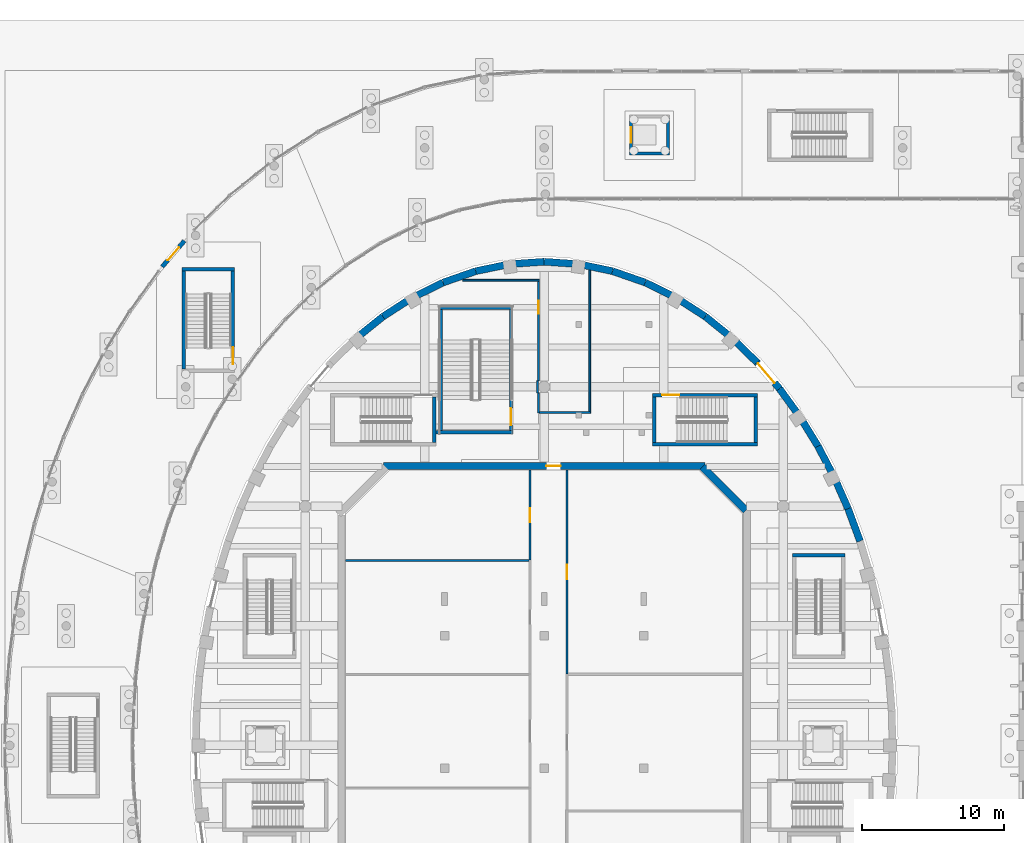
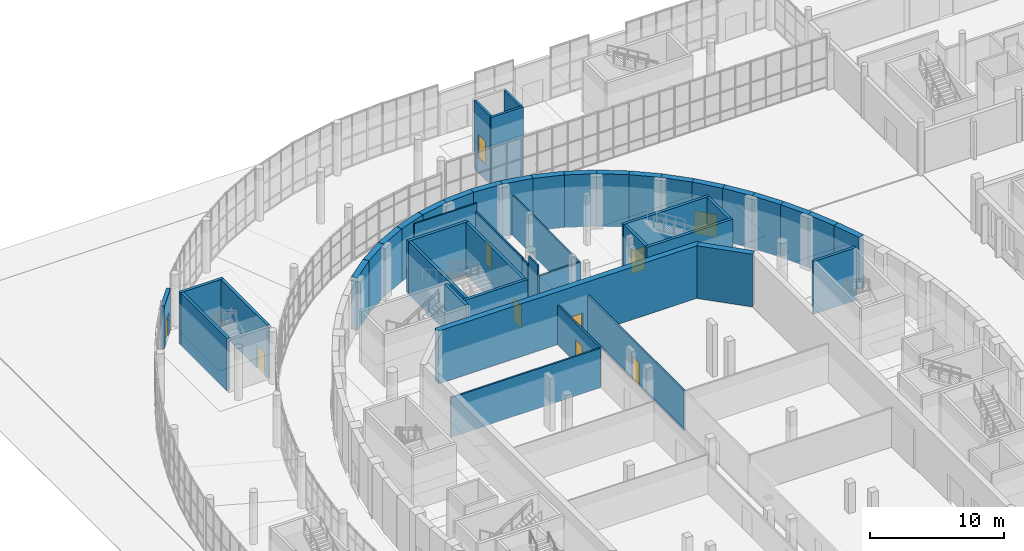
# One storey, part 64 of 110: 47 walls, 10 doors, 10 openings.
"""IFC4 building model written with IfcOpenShell, lengths in metres."""

from ifc_helpers import new_model, si_unit, direction, frame, frame_2d, origin, place, context, subcontext, project, spatial, rectangle, extrude, material, layer, layer_set, type_object, element, fill, save


model = new_model("IFC4")

# Units and contexts
model_context = context("Model", 3, precision=1e-05, world=origin(), true_north=direction((0.0, 1.0)))
body_context = subcontext(model_context, "Body", "Model", "MODEL_VIEW")
ifc_project = project(units=[si_unit("LENGTHUNIT", "METRE"), si_unit("AREAUNIT", "SQUARE_METRE"), si_unit("VOLUMEUNIT", "CUBIC_METRE"), si_unit("PLANEANGLEUNIT", "RADIAN"), si_unit("MASSUNIT", "GRAM", prefix="KILO")], contexts=[model_context])

# Site, building, storey
site_placement = place(None, origin())
site = spatial("IfcSite", under=ifc_project, at=site_placement, CompositionType="ELEMENT")
building_placement = place(site_placement, origin())
building = spatial("IfcBuilding", under=site, at=building_placement, Name="Larchfold Concert Hall", CompositionType="ELEMENT")
storey_placement = place(building_placement, origin())
storey = spatial("IfcBuildingStorey", under=building, at=storey_placement, Name="L00", CompositionType="ELEMENT", Elevation=0.0)

# Wall
ifc_material_1 = material(Name="Plasterboard partition on steel studs", Category="steel")
ifc_layer_1 = layer(ifc_material_1, 0.125)
ifc_layer_set_1 = layer_set([ifc_layer_1], Name="Plasterboard partition on steel studs")
wall_type_1 = type_object("IfcWallType", Name="Corridor partition 125 EI 60", PredefinedType="PARTITIONING", material=ifc_layer_set_1)
wall_1_placement = place(storey_placement, frame((36.8720703125, 117.298095703125, 0.0), z_axis=(0.0, 0.0, 1.0), x_axis=(0.999999934357, 0.000362335227, 0.0)))
element("IfcWall", 1, at=wall_1_placement, inside=storey, type_object=wall_type_1, Name="Partition IW0014", PredefinedType="PARTITIONING", context=body_context, shape_type="SweptSolid", body=[
    extrude(rectangle(XDim=5.390380859375, YDim=0.125, at=frame_2d((2.6953125, 0.0))), origin(), (0.0, 0.0, 1.0), 4.60009765625),
])

# Wall, opening, door
wall_2_placement = place(storey_placement, frame((42.199951171875, 117.237548828125, 0.0), z_axis=(0.0, 0.0, 1.0), x_axis=(0.0, -1.0, 0.0)))
wall_2 = element("IfcWall", 2, at=wall_2_placement, inside=storey, type_object=wall_type_1, Name="Partition IW0015", PredefinedType="PARTITIONING", context=body_context, shape_type="SweptSolid", body=[
    extrude(rectangle(XDim=7.017578125, YDim=0.125, at=frame_2d((3.5087890625, 0.0))), origin(), (0.0, 0.0, 1.0), 3.89990234375),
])
opening_1_placement = place(wall_2_placement, frame((1.383056640625, 0.0, 0.0)))
opening_1 = element("IfcOpeningElement", 3, at=opening_1_placement, cuts=wall_2, Name="Opening D-L00-110", PredefinedType="OPENING", context=body_context, shape_type="SweptSolid", body=[
    extrude(rectangle(XDim=0.89990234375, YDim=2.10009765625, at=frame_2d((0.449951171875, 1.050048828125))), frame((0.0, 0.072509765625, 0.0), z_axis=(0.0, -1.0, 0.0), x_axis=(1.0, 0.0, 0.0)), (0.0, 0.0, 1.0), 0.14501953125),
])
ifc_material_2 = material(Name="Timber door leaf", Category="wood")
door_type_1 = type_object("IfcDoorType", Name="Public toilet door 900 x 2100 FD30S", OperationType="SINGLE_SWING_LEFT", PredefinedType="DOOR", material=ifc_material_2)
door_1_placement = place(opening_1_placement, origin())
door_1 = element("IfcDoor", 4, at=door_1_placement, inside=storey, type_object=door_type_1, Name="Door D-L00-110", OperationType="SINGLE_SWING_RIGHT", OverallHeight=2.10009765625, OverallWidth=0.89990234375, PredefinedType="DOOR", context=body_context, shape_type="SweptSolid", body=[
    extrude(rectangle(XDim=0.89990234375, YDim=2.10009765625, at=frame_2d((0.449951171875, 1.050048828125))), frame((0.0, 0.02490234375, 0.0), z_axis=(0.0, -1.0, 0.0), x_axis=(1.0, 0.0, 0.0)), (0.0, 0.0, 1.0), 0.050048828125),
])
fill(opening_1, door_1)

# Walls
wall_3_placement = place(storey_placement, frame((42.199951171875, 109.380126953125, 0.0), z_axis=(0.0, 0.0, 1.0), x_axis=(0.0, -1.0, 0.0)))
element("IfcWall", 5, at=wall_3_placement, inside=storey, type_object=wall_type_1, Name="Partition IW0016", PredefinedType="PARTITIONING", context=body_context, shape_type="SweptSolid", body=[
    extrude(rectangle(XDim=1.400146484375, YDim=0.125, at=frame_2d((0.7001953125, 0.0))), origin(), (0.0, 0.0, 1.0), 4.60009765625),
])
wall_4_placement = place(storey_placement, frame((42.264892578125, 108.0, 0.0), z_axis=(0.0, 0.0, 1.0), x_axis=(0.999999333838, 0.001154263218, 0.0)))
element("IfcWall", 6, at=wall_4_placement, inside=storey, type_object=wall_type_1, Name="Partition IW0017", PredefinedType="PARTITIONING", context=body_context, shape_type="SweptSolid", body=[
    extrude(rectangle(XDim=3.595703125, YDim=0.125, at=frame_2d((1.7978515625, 0.0))), origin(), (0.0, 0.0, 1.0), 3.60009765625),
])
wall_5_placement = place(storey_placement, frame((45.798095703125, 108.06640625, 0.0), z_axis=(0.0, 0.0, 1.0), x_axis=(0.000196478126, 0.999999980698, 0.0)))
element("IfcWall", 7, at=wall_5_placement, inside=storey, type_object=wall_type_1, Name="Partition IW0018", PredefinedType="PARTITIONING", context=body_context, shape_type="SweptSolid", body=[
    extrude(rectangle(XDim=9.940673828125, YDim=0.125, at=frame_2d((4.97021484375, 0.0))), origin(), (0.0, 0.0, 1.0), 3.60009765625),
])
wall_6_placement = place(storey_placement, frame((42.135009765625, 110.219970703125, 0.0), z_axis=(0.0, 0.0, 1.0), x_axis=(0.0, -1.0, 0.0)))
element("IfcWall", 8, at=wall_6_placement, inside=storey, type_object=wall_type_1, Name="Partition IW0174", PredefinedType="PARTITIONING", context=body_context, shape_type="SweptSolid", body=[
    extrude(rectangle(XDim=0.83984375, YDim=0.125, at=frame_2d((0.419921875, 0.0))), origin(), (0.0, 0.0, 1.0), 3.89990234375),
])

# Wall, opening, door
ifc_material_3 = material(Name="Larch cladding on mineral wool and CLT", Category="wood")
ifc_layer_2 = layer(ifc_material_3, 0.300048828125)
ifc_layer_set_2 = layer_set([ifc_layer_2], Name="Larch cladding on mineral wool and CLT")
wall_type_2 = type_object("IfcWallType", Name="Entrance bay wall 300", PredefinedType="SOLIDWALL", material=ifc_layer_set_2)
wall_7_placement = place(storey_placement, frame((17.313720703125, 120.06884765625, 0.0), z_axis=(0.0, 0.0, 1.0), x_axis=(-0.650531637341, -0.759479156276, 0.0)))
wall_7 = element("IfcWall", 9, at=wall_7_placement, inside=storey, type_object=wall_type_2, Name="Infill wall W5192", PredefinedType="SOLIDWALL", context=body_context, shape_type="SweptSolid", body=[
    extrude(rectangle(XDim=2.39990234375, YDim=0.300048828125, at=frame_2d((1.199951171875, 0.0))), origin(), (0.0, 0.0, 1.0), 3.89990234375),
])
opening_2_placement = place(wall_7_placement, frame((1.800048828125, 0.0, 0.0), z_axis=(0.0, 0.0, 1.0), x_axis=(-1.0, 0.0, 0.0)))
opening_2 = element("IfcOpeningElement", 10, at=opening_2_placement, cuts=wall_7, Name="Opening D-L00-240", PredefinedType="OPENING", context=body_context, shape_type="SweptSolid", body=[
    extrude(rectangle(XDim=1.199951171875, YDim=2.10009765625, at=frame_2d((0.60009765625, 1.050048828125))), frame((0.0, 0.16015625, 0.0), z_axis=(0.0, -1.0, 0.0), x_axis=(1.0, 0.0, 0.0)), (0.0, 0.0, 1.0), 0.320068359375),
])
ifc_material_4 = material(Name="Anodised graphite aluminium door leaf", Category="aluminium")
door_type_2 = type_object("IfcDoorType", Name="Exit door single 1200x2100", OperationType="SINGLE_SWING_LEFT", PredefinedType="DOOR", material=ifc_material_4)
door_2_placement = place(opening_2_placement, origin())
door_2 = element("IfcDoor", 11, at=door_2_placement, inside=storey, type_object=door_type_2, Name="Door D-L00-240", OperationType="SINGLE_SWING_LEFT", OverallHeight=2.10009765625, OverallWidth=1.199951171875, PredefinedType="DOOR", context=body_context, shape_type="SweptSolid", body=[
    extrude(rectangle(XDim=1.199951171875, YDim=2.10009765625, at=frame_2d((0.60009765625, 1.050048828125))), frame((0.0, 0.02490234375, 0.0), z_axis=(0.0, -1.0, 0.0), x_axis=(1.0, 0.0, 0.0)), (0.0, 0.0, 1.0), 0.050048828125),
])
fill(opening_2, door_2)

ifc_material_5 = material(Name="Plasterboard partition on steel studs", Category="steel")
ifc_layer_3 = layer(ifc_material_5, 0.14990234375)
ifc_layer_set_3 = layer_set([ifc_layer_3], Name="Plasterboard partition on steel studs")
wall_type_3 = type_object("IfcWallType", Name="Shaft and plant partition 150 EI 120", PredefinedType="PARTITIONING", material=ifc_layer_set_3)
wall_8_placement = place(storey_placement, frame((44.199951171875, 103.949951171875, 0.0), z_axis=(0.0, 0.0, 1.0), x_axis=(0.0, -1.0, 0.0)))
wall_8 = element("IfcWall", 12, at=wall_8_placement, inside=storey, type_object=wall_type_3, Name="Partition IW0008", PredefinedType="PARTITIONING", context=body_context, shape_type="SweptSolid", body=[
    extrude(rectangle(XDim=14.329833984375, YDim=0.14990234375, at=frame_2d((7.1650390625, 0.0))), origin(), (0.0, 0.0, 1.0), 3.60009765625),
])
opening_3_placement = place(wall_8_placement, frame((6.6650390625, 0.0, 0.0)))
opening_3 = element("IfcOpeningElement", 13, at=opening_3_placement, cuts=wall_8, Name="Opening D-L00-108", PredefinedType="OPENING", context=body_context, shape_type="SweptSolid", body=[
    extrude(rectangle(XDim=1.0, YDim=2.10009765625, at=frame_2d((0.5, 1.050048828125))), frame((0.0, 0.0849609375, 0.0), z_axis=(0.0, -1.0, 0.0), x_axis=(1.0, 0.0, 0.0)), (0.0, 0.0, 1.0), 0.169921875),
])
ifc_material_6 = material(Name="Timber door leaf", Category="wood")
door_type_3 = type_object("IfcDoorType", Name="Plant room door 1000 x 2100 FD60", OperationType="SINGLE_SWING_LEFT", PredefinedType="DOOR", material=ifc_material_6)
door_3_placement = place(opening_3_placement, origin())
door_3 = element("IfcDoor", 14, at=door_3_placement, inside=storey, type_object=door_type_3, Name="Door D-L00-108", OperationType="SINGLE_SWING_LEFT", OverallHeight=2.10009765625, OverallWidth=1.0, PredefinedType="DOOR", context=body_context, shape_type="SweptSolid", body=[
    extrude(rectangle(XDim=1.0, YDim=2.10009765625, at=frame_2d((0.5, 1.050048828125))), frame((0.0, 0.02490234375, 0.0), z_axis=(0.0, -1.0, 0.0), x_axis=(1.0, 0.0, 0.0)), (0.0, 0.0, 1.0), 0.050048828125),
])
fill(opening_3, door_3)

wall_9_placement = place(storey_placement, frame((41.60009765625, 97.6201171875, 0.0), z_axis=(0.0, 0.0, 1.0), x_axis=(0.0, 1.0, 0.0)))
wall_9 = element("IfcWall", 15, at=wall_9_placement, inside=storey, type_object=wall_type_3, Name="Partition IW0009", PredefinedType="PARTITIONING", context=body_context, shape_type="SweptSolid", body=[
    extrude(rectangle(XDim=6.329833984375, YDim=0.14990234375, at=frame_2d((3.1650390625, 0.0))), origin(), (0.0, 0.0, 1.0), 3.60009765625),
])
opening_4_placement = place(wall_9_placement, frame((2.655029296875, 0.0, 0.0)))
opening_4 = element("IfcOpeningElement", 16, at=opening_4_placement, cuts=wall_9, Name="Opening D-L00-109", PredefinedType="OPENING", context=body_context, shape_type="SweptSolid", body=[
    extrude(rectangle(XDim=1.0, YDim=2.10009765625, at=frame_2d((0.5, 1.050048828125))), frame((0.0, 0.0849609375, 0.0), z_axis=(0.0, -1.0, 0.0), x_axis=(1.0, 0.0, 0.0)), (0.0, 0.0, 1.0), 0.169921875),
])
ifc_material_7 = material(Name="Timber door leaf", Category="wood")
door_type_4 = type_object("IfcDoorType", Name="Store door 1000 x 2100 FD60", OperationType="SINGLE_SWING_LEFT", PredefinedType="DOOR", material=ifc_material_7)
door_4_placement = place(opening_4_placement, origin())
door_4 = element("IfcDoor", 17, at=door_4_placement, inside=storey, type_object=door_type_4, Name="Door D-L00-109", OperationType="SINGLE_SWING_RIGHT", OverallHeight=2.10009765625, OverallWidth=1.0, PredefinedType="DOOR", context=body_context, shape_type="SweptSolid", body=[
    extrude(rectangle(XDim=1.0, YDim=2.10009765625, at=frame_2d((0.5, 1.050048828125))), frame((0.0, 0.02490234375, 0.0), z_axis=(0.0, -1.0, 0.0), x_axis=(1.0, 0.0, 0.0)), (0.0, 0.0, 1.0), 0.050048828125),
])
fill(opening_4, door_4)

# Walls
wall_10_placement = place(storey_placement, frame((28.64990234375, 97.60009765625, 0.0), z_axis=(0.0, 0.0, 1.0), x_axis=(1.0, 0.0, 0.0)))
element("IfcWall", 18, at=wall_10_placement, inside=storey, type_object=wall_type_3, Name="Partition IW0013", PredefinedType="PARTITIONING", context=body_context, shape_type="SweptSolid", body=[
    extrude(rectangle(XDim=12.875, YDim=0.14990234375, at=frame_2d((6.4375, 0.0))), origin(), (0.0, 0.0, 1.0), 3.60009765625),
])
ifc_material_8 = material(Name="Concrete C40/50", Category="concrete")
ifc_layer_4 = layer(ifc_material_8, 0.199951171875)
ifc_layer_set_4 = layer_set([ifc_layer_4], Name="Concrete C40/50")
wall_type_4 = type_object("IfcWallType", Name="Wall RC 200 lift shaft", PredefinedType="SOLIDWALL", material=ifc_layer_set_4)
wall_11_placement = place(storey_placement, frame((48.60009765625, 126.2001953125, -1.39990234375), z_axis=(0.0, 0.0, 1.0), x_axis=(1.0, 0.0, 0.0)))
element("IfcWall", 19, at=wall_11_placement, inside=storey, type_object=wall_type_4, Name="Wall W0189", PredefinedType="SOLIDWALL", context=body_context, shape_type="SweptSolid", body=[
    extrude(rectangle(XDim=2.7998046875, YDim=0.199951171875, at=frame_2d((1.39990234375, 0.0))), origin(), (0.0, 0.0, 1.0), 6.199951171875),
])

# Wall, opening, door
wall_12_placement = place(storey_placement, frame((48.7001953125, 126.300048828125, -1.39990234375), z_axis=(0.0, 0.0, 1.0), x_axis=(0.0, 1.0, 0.0)))
wall_12 = element("IfcWall", 20, at=wall_12_placement, inside=storey, type_object=wall_type_4, Name="Wall W0191", PredefinedType="SOLIDWALL", context=body_context, shape_type="SweptSolid", body=[
    extrude(rectangle(XDim=2.39990234375, YDim=0.199951171875, at=frame_2d((1.199951171875, 0.0))), origin(), (0.0, 0.0, 1.0), 6.199951171875),
])
opening_5_placement = place(wall_12_placement, frame((0.64990234375, 0.0, 1.39990234375)))
opening_5 = element("IfcOpeningElement", 21, at=opening_5_placement, cuts=wall_12, Name="Opening LD-LF13", PredefinedType="OPENING", context=body_context, shape_type="SweptSolid", body=[
    extrude(rectangle(XDim=1.10009765625, YDim=2.10009765625, at=frame_2d((0.550048828125, 1.050048828125))), frame((0.0, 0.10986328125, 0.0), z_axis=(0.0, -1.0, 0.0), x_axis=(1.0, 0.0, 0.0)), (0.0, 0.0, 1.0), 0.219970703125),
])
ifc_material_9 = material(Name="Stainless steel sliding leaves", Category="steel")
door_type_5 = type_object("IfcDoorType", Name="Lift landing door sliding 1100 x 2100", OperationType="SLIDING_TO_LEFT", PredefinedType="DOOR", material=ifc_material_9)
door_5_placement = place(opening_5_placement, origin())
door_5 = element("IfcDoor", 22, at=door_5_placement, inside=storey, type_object=door_type_5, Name="Lift landing door LF13", OperationType="SLIDING_TO_LEFT", OverallHeight=2.10009765625, OverallWidth=1.10009765625, PredefinedType="DOOR", context=body_context, shape_type="SweptSolid", body=[
    extrude(rectangle(XDim=1.10009765625, YDim=2.10009765625, at=frame_2d((0.550048828125, 1.050048828125))), frame((0.0, 0.02490234375, 0.0), z_axis=(0.0, -1.0, 0.0), x_axis=(1.0, 0.0, 0.0)), (0.0, 0.0, 1.0), 0.050048828125),
])
fill(opening_5, door_5)

# Walls
wall_13_placement = place(storey_placement, frame((51.2998046875, 126.300048828125, -1.39990234375), z_axis=(0.0, 0.0, 1.0), x_axis=(0.0, 1.0, 0.0)))
element("IfcWall", 23, at=wall_13_placement, inside=storey, type_object=wall_type_4, Name="Wall W0192", PredefinedType="SOLIDWALL", context=body_context, shape_type="SweptSolid", body=[
    extrude(rectangle(XDim=2.39990234375, YDim=0.199951171875, at=frame_2d((1.199951171875, 0.0))), origin(), (0.0, 0.0, 1.0), 6.199951171875),
])
ifc_material_10 = material(Name="Concrete C40/50", Category="concrete")
ifc_layer_5 = layer(ifc_material_10, 0.25)
ifc_layer_set_5 = layer_set([ifc_layer_5], Name="Concrete C40/50")
wall_type_5 = type_object("IfcWallType", Name="Wall RC 250 stair core", PredefinedType="SOLIDWALL", material=ifc_layer_set_5)
wall_14_placement = place(storey_placement, frame((60.050048828125, 97.97509765625, 0.0), z_axis=(0.0, 0.0, 1.0), x_axis=(1.0, 0.0, 0.0)))
element("IfcWall", 24, at=wall_14_placement, inside=storey, type_object=wall_type_5, Name="Wall W0034", PredefinedType="SOLIDWALL", context=body_context, shape_type="SweptSolid", body=[
    extrude(rectangle(XDim=3.699951171875, YDim=0.25, at=frame_2d((1.85009765625, 0.0))), origin(), (0.0, 0.0, 1.0), 4.800048828125),
])
wall_15_placement = place(storey_placement, frame((50.199951171875, 105.77490234375, 0.0), z_axis=(0.0, 0.0, 1.0), x_axis=(1.0, 0.0, 0.0)))
element("IfcWall", 25, at=wall_15_placement, inside=storey, type_object=wall_type_5, Name="Wall W0037", PredefinedType="SOLIDWALL", context=body_context, shape_type="SweptSolid", body=[
    extrude(rectangle(XDim=7.400146484375, YDim=0.25, at=frame_2d((3.7001953125, 0.0))), origin(), (0.0, 0.0, 1.0), 4.800048828125),
])

# Wall, opening, door
wall_16_placement = place(storey_placement, frame((50.199951171875, 109.22509765625, 0.0), z_axis=(0.0, 0.0, 1.0), x_axis=(1.0, 0.0, 0.0)))
wall_16 = element("IfcWall", 26, at=wall_16_placement, inside=storey, type_object=wall_type_5, Name="Wall W0038", PredefinedType="SOLIDWALL", context=body_context, shape_type="SweptSolid", body=[
    extrude(rectangle(XDim=7.400146484375, YDim=0.25, at=frame_2d((3.7001953125, 0.0))), origin(), (0.0, 0.0, 1.0), 4.800048828125),
])
opening_6_placement = place(wall_16_placement, frame((0.700439453125, 0.0, 0.0)))
opening_6 = element("IfcOpeningElement", 27, at=opening_6_placement, cuts=wall_16, Name="Opening D-L00-160", PredefinedType="OPENING", context=body_context, shape_type="SweptSolid", body=[
    extrude(rectangle(XDim=1.199951171875, YDim=2.10009765625, at=frame_2d((0.60009765625, 1.050048828125))), frame((0.0, 0.135009765625, 0.0), z_axis=(0.0, -1.0, 0.0), x_axis=(1.0, 0.0, 0.0)), (0.0, 0.0, 1.0), 0.27001953125),
])
ifc_material_11 = material(Name="Timber door leaf", Category="wood")
door_type_6 = type_object("IfcDoorType", Name="Stair enclosure door pair 1200 x 2100 FD60", OperationType="SINGLE_SWING_LEFT", PredefinedType="DOOR", material=ifc_material_11)
door_6_placement = place(opening_6_placement, origin())
door_6 = element("IfcDoor", 28, at=door_6_placement, inside=storey, type_object=door_type_6, Name="Door D-L00-160", OperationType="DOUBLE_DOOR_SINGLE_SWING", OverallHeight=2.10009765625, OverallWidth=1.199951171875, PredefinedType="DOOR", context=body_context, shape_type="SweptSolid", body=[
    extrude(rectangle(XDim=1.199951171875, YDim=2.10009765625, at=frame_2d((0.60009765625, 1.050048828125))), frame((0.0, 0.02490234375, 0.0), z_axis=(0.0, -1.0, 0.0), x_axis=(1.0, 0.0, 0.0)), (0.0, 0.0, 1.0), 0.050048828125),
])
fill(opening_6, door_6)

# Walls
for number, where, z_axis, x_axis, name in (
    (29, (50.324951171875, 105.89990234375, 0.0), (0.0, 0.0, 1.0), (0.0, 1.0, 0.0), "Wall W0039"),
    (30, (57.47509765625, 105.89990234375, 0.0), (0.0, 0.0, 1.0), (0.0, 1.0, 0.0), "Wall W0040"),
    (31, (34.875, 105.89990234375, 0.0), (0.0, 0.0, 1.0), (0.0, 1.0, 0.0), "Wall W0044"),
):
    element("IfcWall", number, at=place(storey_placement, frame(where, z_axis=z_axis, x_axis=x_axis)), inside=storey, type_object=wall_type_5, Name=name, PredefinedType="SOLIDWALL", context=body_context, shape_type="SweptSolid", body=[
        extrude(rectangle(XDim=3.2001953125, YDim=0.25, at=frame_2d((1.60009765625, 0.0))), origin(), (0.0, 0.0, 1.0), 4.800048828125),
    ])
wall_17_placement = place(storey_placement, frame((17.14990234375, 118.074951171875, 0.0), z_axis=(0.0, 0.0, 1.0), x_axis=(1.0, 0.0, 0.0)))
element("IfcWall", 32, at=wall_17_placement, inside=storey, type_object=wall_type_5, Name="Wall W0130", PredefinedType="SOLIDWALL", context=body_context, shape_type="SweptSolid", body=[
    extrude(rectangle(XDim=3.7001953125, YDim=0.25, at=frame_2d((1.85009765625, 0.0))), origin(), (0.0, 0.0, 1.0), 4.800048828125),
])
wall_18_placement = place(storey_placement, frame((17.27490234375, 111.050048828125, 0.0), z_axis=(0.0, 0.0, 1.0), x_axis=(0.0, 1.0, 0.0)))
element("IfcWall", 33, at=wall_18_placement, inside=storey, type_object=wall_type_5, Name="Wall W0131", PredefinedType="SOLIDWALL", context=body_context, shape_type="SweptSolid", body=[
    extrude(rectangle(XDim=6.89990234375, YDim=0.25, at=frame_2d((3.449951171875, 0.0))), origin(), (0.0, 0.0, 1.0), 4.800048828125),
])

# Wall, opening, door
wall_19_placement = place(storey_placement, frame((20.72509765625, 111.050048828125, 0.0), z_axis=(0.0, 0.0, 1.0), x_axis=(0.0, 1.0, 0.0)))
wall_19 = element("IfcWall", 34, at=wall_19_placement, inside=storey, type_object=wall_type_5, Name="Wall W0132", PredefinedType="SOLIDWALL", context=body_context, shape_type="SweptSolid", body=[
    extrude(rectangle(XDim=6.89990234375, YDim=0.25, at=frame_2d((3.449951171875, 0.0))), origin(), (0.0, 0.0, 1.0), 4.800048828125),
])
opening_7_placement = place(wall_19_placement, frame((0.35009765625, 0.0, 0.0)))
opening_7 = element("IfcOpeningElement", 35, at=opening_7_placement, cuts=wall_19, Name="Opening D-L00-178", PredefinedType="OPENING", context=body_context, shape_type="SweptSolid", body=[
    extrude(rectangle(XDim=1.199951171875, YDim=2.10009765625, at=frame_2d((0.60009765625, 1.050048828125))), frame((0.0, 0.135009765625, 0.0), z_axis=(0.0, -1.0, 0.0), x_axis=(1.0, 0.0, 0.0)), (0.0, 0.0, 1.0), 0.27001953125),
])
door_7_placement = place(opening_7_placement, origin())
door_7 = element("IfcDoor", 36, at=door_7_placement, inside=storey, type_object=door_type_6, Name="Door D-L00-178", OperationType="DOUBLE_DOOR_SINGLE_SWING", OverallHeight=2.10009765625, OverallWidth=1.199951171875, PredefinedType="DOOR", context=body_context, shape_type="SweptSolid", body=[
    extrude(rectangle(XDim=1.199951171875, YDim=2.10009765625, at=frame_2d((0.60009765625, 1.050048828125))), frame((0.0, 0.02490234375, 0.0), z_axis=(0.0, -1.0, 0.0), x_axis=(1.0, 0.0, 0.0)), (0.0, 0.0, 1.0), 0.050048828125),
])
fill(opening_7, door_7)

# Walls
wall_20_placement = place(storey_placement, frame((35.0, 106.625, 0.0), z_axis=(0.0, 0.0, 1.0), x_axis=(1.0, 0.0, 0.0)))
element("IfcWall", 37, at=wall_20_placement, inside=storey, type_object=wall_type_5, Name="Wall W0137", PredefinedType="SOLIDWALL", context=body_context, shape_type="SweptSolid", body=[
    extrude(rectangle(XDim=5.39990234375, YDim=0.25, at=frame_2d((2.699951171875, 0.0))), origin(), (0.0, 0.0, 1.0), 4.800048828125),
])
wall_21_placement = place(storey_placement, frame((35.199951171875, 115.375, 0.0), z_axis=(0.0, 0.0, 1.0), x_axis=(1.0, 0.0, 0.0)))
element("IfcWall", 38, at=wall_21_placement, inside=storey, type_object=wall_type_5, Name="Wall W0138", PredefinedType="SOLIDWALL", context=body_context, shape_type="SweptSolid", body=[
    extrude(rectangle(XDim=5.199951171875, YDim=0.25, at=frame_2d((2.60009765625, 0.0))), origin(), (0.0, 0.0, 1.0), 4.800048828125),
])
wall_22_placement = place(storey_placement, frame((35.324951171875, 106.75, 0.0), z_axis=(0.0, 0.0, 1.0), x_axis=(0.0, 1.0, 0.0)))
element("IfcWall", 39, at=wall_22_placement, inside=storey, type_object=wall_type_5, Name="Wall W0139", PredefinedType="SOLIDWALL", context=body_context, shape_type="SweptSolid", body=[
    extrude(rectangle(XDim=8.5, YDim=0.25, at=frame_2d((4.25, 0.0))), origin(), (0.0, 0.0, 1.0), 4.800048828125),
])

# Wall, opening, door
wall_23_placement = place(storey_placement, frame((40.27490234375, 106.75, 0.0), z_axis=(0.0, 0.0, 1.0), x_axis=(0.0, 1.0, 0.0)))
wall_23 = element("IfcWall", 40, at=wall_23_placement, inside=storey, type_object=wall_type_5, Name="Wall W0140", PredefinedType="SOLIDWALL", context=body_context, shape_type="SweptSolid", body=[
    extrude(rectangle(XDim=8.5, YDim=0.25, at=frame_2d((4.25, 0.0))), origin(), (0.0, 0.0, 1.0), 4.800048828125),
])
opening_8_placement = place(wall_23_placement, frame((0.35009765625, 0.0, 0.0)))
opening_8 = element("IfcOpeningElement", 41, at=opening_8_placement, cuts=wall_23, Name="Opening D-L00-161", PredefinedType="OPENING", context=body_context, shape_type="SweptSolid", body=[
    extrude(rectangle(XDim=1.199951171875, YDim=2.10009765625, at=frame_2d((0.60009765625, 1.050048828125))), frame((0.0, 0.135009765625, 0.0), z_axis=(0.0, -1.0, 0.0), x_axis=(1.0, 0.0, 0.0)), (0.0, 0.0, 1.0), 0.27001953125),
])
door_8_placement = place(opening_8_placement, origin())
door_8 = element("IfcDoor", 42, at=door_8_placement, inside=storey, type_object=door_type_6, Name="Door D-L00-161", OperationType="DOUBLE_DOOR_SINGLE_SWING", OverallHeight=2.10009765625, OverallWidth=1.199951171875, PredefinedType="DOOR", context=body_context, shape_type="SweptSolid", body=[
    extrude(rectangle(XDim=1.199951171875, YDim=2.10009765625, at=frame_2d((0.60009765625, 1.050048828125))), frame((0.0, 0.02490234375, 0.0), z_axis=(0.0, -1.0, 0.0), x_axis=(1.0, 0.0, 0.0)), (0.0, 0.0, 1.0), 0.050048828125),
])
fill(opening_8, door_8)

# Walls
ifc_material_12 = material(Name="Concrete C30/37", Category="concrete")
ifc_layer_6 = layer(ifc_material_12, 0.5)
ifc_layer_set_6 = layer_set([ifc_layer_6], Name="Concrete C30/37")
wall_type_6 = type_object("IfcWallType", Name="Wall RC 500 drum facade", PredefinedType="SOLIDWALL", material=ifc_layer_set_6)
wall_24_placement = place(storey_placement, frame((64.8076171875, 98.960205078125, 0.0), z_axis=(0.0, 0.0, 1.0), x_axis=(-0.346579149604, 0.938020731679, 0.0)))
element("IfcWall", 43, at=wall_24_placement, inside=storey, type_object=wall_type_6, Name="Wall DW007", PredefinedType="SOLIDWALL", context=body_context, shape_type="SweptSolid", body=[
    extrude(rectangle(XDim=2.433837890625, YDim=0.5, at=frame_2d((1.216796875, 0.0))), origin(), (0.0, 0.0, 1.0), 4.800048828125),
])
wall_25_placement = place(storey_placement, frame((63.964111328125, 101.2431640625, 0.0), z_axis=(0.0, 0.0, 1.0), x_axis=(-0.404089673612, 0.914719375371, 0.0)))
element("IfcWall", 44, at=wall_25_placement, inside=storey, type_object=wall_type_6, Name="Wall DW008", PredefinedType="SOLIDWALL", context=body_context, shape_type="SweptSolid", body=[
    extrude(rectangle(XDim=2.43359375, YDim=0.5, at=frame_2d((1.216796875, 0.0))), origin(), (0.0, 0.0, 1.0), 4.800048828125),
])
wall_26_placement = place(storey_placement, frame((62.980712890625, 103.46923828125, 0.0), z_axis=(0.0, 0.0, 1.0), x_axis=(-0.463152141842, 0.886278789945, 0.0)))
element("IfcWall", 45, at=wall_26_placement, inside=storey, type_object=wall_type_6, Name="Wall DW009", PredefinedType="SOLIDWALL", context=body_context, shape_type="SweptSolid", body=[
    extrude(rectangle(XDim=2.433837890625, YDim=0.5, at=frame_2d((1.216796875, 0.0))), origin(), (0.0, 0.0, 1.0), 4.800048828125),
])
wall_27_placement = place(storey_placement, frame((61.853515625, 105.626220703125, 0.0), z_axis=(0.0, 0.0, 1.0), x_axis=(-0.524097425664, 0.851658316705, 0.0)))
element("IfcWall", 46, at=wall_27_placement, inside=storey, type_object=wall_type_6, Name="Wall DW010", PredefinedType="SOLIDWALL", context=body_context, shape_type="SweptSolid", body=[
    extrude(rectangle(XDim=2.43359375, YDim=0.5, at=frame_2d((1.216796875, 0.0))), origin(), (0.0, 0.0, 1.0), 4.800048828125),
])
wall_28_placement = place(storey_placement, frame((60.578125, 107.69873046875, 0.0), z_axis=(0.0, 0.0, 1.0), x_axis=(-0.586643688245, 0.809845159918, 0.0)))
element("IfcWall", 47, at=wall_28_placement, inside=storey, type_object=wall_type_6, Name="Wall DW011", PredefinedType="SOLIDWALL", context=body_context, shape_type="SweptSolid", body=[
    extrude(rectangle(XDim=2.433837890625, YDim=0.5, at=frame_2d((1.216796875, 0.0))), origin(), (0.0, 0.0, 1.0), 4.800048828125),
])

# Wall, opening, door
wall_29_placement = place(storey_placement, frame((59.150390625, 109.669677734375, 0.0), z_axis=(0.0, 0.0, 1.0), x_axis=(-0.650526940133, 0.759483179643, 0.0)))
wall_29 = element("IfcWall", 48, at=wall_29_placement, inside=storey, type_object=wall_type_6, Name="Wall DW012", PredefinedType="SOLIDWALL", context=body_context, shape_type="SweptSolid", body=[
    extrude(rectangle(XDim=2.433349609375, YDim=0.5, at=frame_2d((1.216796875, 0.0))), origin(), (0.0, 0.0, 1.0), 4.800048828125),
])
opening_9_placement = place(wall_29_placement, frame((2.33349609375, 0.0, 0.0), z_axis=(0.0, 0.0, 1.0), x_axis=(-1.0, 0.0, 0.0)))
opening_9 = element("IfcOpeningElement", 49, at=opening_9_placement, cuts=wall_29, Name="Opening D-L00-202", PredefinedType="OPENING", context=body_context, shape_type="SweptSolid", body=[
    extrude(rectangle(XDim=1.800048828125, YDim=2.10009765625, at=frame_2d((0.89990234375, 1.050048828125))), frame((0.0, 0.260009765625, 0.0), z_axis=(0.0, -1.0, 0.0), x_axis=(1.0, 0.0, 0.0)), (0.0, 0.0, 1.0), 0.52001953125),
])
ifc_material_13 = material(Name="Anodised graphite aluminium door leaf", Category="aluminium")
door_type_7 = type_object("IfcDoorType", Name="Exit door double 1800x2100", OperationType="DOUBLE_DOOR_SINGLE_SWING", PredefinedType="DOOR", material=ifc_material_13)
door_9_placement = place(opening_9_placement, origin())
door_9 = element("IfcDoor", 50, at=door_9_placement, inside=storey, type_object=door_type_7, Name="Door D-L00-202", OperationType="DOUBLE_DOOR_SINGLE_SWING", OverallHeight=2.10009765625, OverallWidth=1.800048828125, PredefinedType="DOOR", context=body_context, shape_type="SweptSolid", body=[
    extrude(rectangle(XDim=1.800048828125, YDim=2.10009765625, at=frame_2d((0.89990234375, 1.050048828125))), frame((0.0, 0.02490234375, 0.0), z_axis=(0.0, -1.0, 0.0), x_axis=(1.0, 0.0, 0.0)), (0.0, 0.0, 1.0), 0.050048828125),
])
fill(opening_9, door_9)

# Walls
wall_30_placement = place(storey_placement, frame((57.5673828125, 111.517822265625, 0.0), z_axis=(0.0, 0.0, 1.0), x_axis=(-0.71498883591, 0.69913586986, 0.0)))
element("IfcWall", 51, at=wall_30_placement, inside=storey, type_object=wall_type_6, Name="Wall DW013", PredefinedType="SOLIDWALL", context=body_context, shape_type="SweptSolid", body=[
    extrude(rectangle(XDim=2.433349609375, YDim=0.5, at=frame_2d((1.216796875, 0.0))), origin(), (0.0, 0.0, 1.0), 4.800048828125),
])
wall_31_placement = place(storey_placement, frame((55.82763671875, 113.218994140625, 0.0), z_axis=(0.0, 0.0, 1.0), x_axis=(-0.779015271296, 0.627004949811, 0.0)))
element("IfcWall", 52, at=wall_31_placement, inside=storey, type_object=wall_type_6, Name="Wall DW014", PredefinedType="SOLIDWALL", context=body_context, shape_type="SweptSolid", body=[
    extrude(rectangle(XDim=2.43310546875, YDim=0.5, at=frame_2d((1.216552734375, 0.0))), origin(), (0.0, 0.0, 1.0), 4.800048828125),
])
wall_32_placement = place(storey_placement, frame((53.93212890625, 114.74462890625, 0.0), z_axis=(0.0, 0.0, 1.0), x_axis=(-0.840519246372, 0.541781687101, 0.0)))
element("IfcWall", 53, at=wall_32_placement, inside=storey, type_object=wall_type_6, Name="Wall DW015", PredefinedType="SOLIDWALL", context=body_context, shape_type="SweptSolid", body=[
    extrude(rectangle(XDim=2.432861328125, YDim=0.5, at=frame_2d((1.21630859375, 0.0))), origin(), (0.0, 0.0, 1.0), 4.800048828125),
])
for number, where, z_axis, x_axis, name in (
    (54, (51.88720703125, 116.062744140625, 0.0), (0.0, 0.0, 1.0), (-0.896822873966, 0.442389797274, 0.0), "Wall DW016"),
    (55, (49.70556640625, 117.138916015625, 0.0), (0.0, 0.0, 1.0), (-0.944373524566, 0.328874818279, 0.0), "Wall DW017"),
):
    element("IfcWall", number, at=place(storey_placement, frame(where, z_axis=z_axis, x_axis=x_axis)), inside=storey, type_object=wall_type_6, Name=name, PredefinedType="SOLIDWALL", context=body_context, shape_type="SweptSolid", body=[
        extrude(rectangle(XDim=2.4326171875, YDim=0.5, at=frame_2d((1.21630859375, 0.0))), origin(), (0.0, 0.0, 1.0), 4.800048828125),
    ])
for number, where, z_axis, x_axis, name in (
    (56, (47.408203125, 117.93896484375, 0.0), (0.0, 0.0, 1.0), (-0.979166233049, 0.203060306454, 0.0), "Wall DW018"),
    (57, (45.026611328125, 118.432861328125, 0.0), (0.0, 0.0, 1.0), (-0.997633415899, 0.068757308571, 0.0), "Wall DW019"),
    (58, (42.60009765625, 118.60009765625, 0.0), (0.0, 0.0, 1.0), (-0.997633415899, -0.068757308571, 0.0), "Wall DW020"),
    (59, (40.173583984375, 118.432861328125, 0.0), (0.0, 0.0, 1.0), (-0.979166233049, -0.203060306454, 0.0), "Wall DW021"),
):
    element("IfcWall", number, at=place(storey_placement, frame(where, z_axis=z_axis, x_axis=x_axis)), inside=storey, type_object=wall_type_6, Name=name, PredefinedType="SOLIDWALL", context=body_context, shape_type="SweptSolid", body=[
        extrude(rectangle(XDim=2.432373046875, YDim=0.5, at=frame_2d((1.21630859375, 0.0))), origin(), (0.0, 0.0, 1.0), 4.800048828125),
    ])
for number, where, z_axis, x_axis, name in (
    (60, (37.7919921875, 117.93896484375, 0.0), (0.0, 0.0, 1.0), (-0.944373524566, -0.328874818279, 0.0), "Wall DW022"),
    (61, (35.49462890625, 117.138916015625, 0.0), (0.0, 0.0, 1.0), (-0.896822873966, -0.442389797274, 0.0), "Wall DW023"),
):
    element("IfcWall", number, at=place(storey_placement, frame(where, z_axis=z_axis, x_axis=x_axis)), inside=storey, type_object=wall_type_6, Name=name, PredefinedType="SOLIDWALL", context=body_context, shape_type="SweptSolid", body=[
        extrude(rectangle(XDim=2.4326171875, YDim=0.5, at=frame_2d((1.21630859375, 0.0))), origin(), (0.0, 0.0, 1.0), 4.800048828125),
    ])
wall_33_placement = place(storey_placement, frame((33.31298828125, 116.062744140625, 0.0), z_axis=(0.0, 0.0, 1.0), x_axis=(-0.840519246372, -0.541781687101, 0.0)))
element("IfcWall", 62, at=wall_33_placement, inside=storey, type_object=wall_type_6, Name="Wall DW024", PredefinedType="SOLIDWALL", context=body_context, shape_type="SweptSolid", body=[
    extrude(rectangle(XDim=2.432861328125, YDim=0.5, at=frame_2d((1.21630859375, 0.0))), origin(), (0.0, 0.0, 1.0), 4.800048828125),
])
wall_34_placement = place(storey_placement, frame((31.26806640625, 114.74462890625, 0.0), z_axis=(0.0, 0.0, 1.0), x_axis=(-0.779015271296, -0.627004949811, 0.0)))
element("IfcWall", 63, at=wall_34_placement, inside=storey, type_object=wall_type_6, Name="Wall DW025", PredefinedType="SOLIDWALL", context=body_context, shape_type="SweptSolid", body=[
    extrude(rectangle(XDim=2.43310546875, YDim=0.5, at=frame_2d((1.216552734375, 0.0))), origin(), (0.0, 0.0, 1.0), 4.800048828125),
])
ifc_material_14 = material(Name="Concrete C40/50", Category="concrete")
ifc_layer_7 = layer(ifc_material_14, 0.5)
ifc_layer_set_7 = layer_set([ifc_layer_7], Name="Concrete C40/50")
wall_type_7 = type_object("IfcWallType", Name="Wall RC 500 hall shell", PredefinedType="SOLIDWALL", material=ifc_layer_set_7)
wall_35_placement = place(storey_placement, frame((56.77734375, 101.122802734375, 0.0), z_axis=(0.0, 0.0, 1.0), x_axis=(-0.707106781187, 0.707106781187, 0.0)))
element("IfcWall", 64, at=wall_35_placement, inside=storey, type_object=wall_type_7, Name="Wall W0003", PredefinedType="SOLIDWALL", context=body_context, shape_type="SweptSolid", body=[
    extrude(rectangle(XDim=4.319580078125, YDim=0.5, at=frame_2d((2.15966796875, 0.0))), origin(), (0.0, 0.0, 1.0), 4.800048828125),
])

# Wall, opening, door
wall_36_placement = place(storey_placement, frame((53.89990234375, 104.25, 0.0), z_axis=(0.0, 0.0, 1.0), x_axis=(-1.0, 0.0, 0.0)))
wall_36 = element("IfcWall", 65, at=wall_36_placement, inside=storey, type_object=wall_type_7, Name="Wall W0004", PredefinedType="SOLIDWALL", context=body_context, shape_type="SweptSolid", body=[
    extrude(rectangle(XDim=22.599853515625, YDim=0.5, at=frame_2d((11.2998046875, 0.0))), origin(), (0.0, 0.0, 1.0), 4.800048828125),
])
opening_10_placement = place(wall_36_placement, frame((10.149658203125, 0.0, 0.0)))
opening_10 = element("IfcOpeningElement", 66, at=opening_10_placement, cuts=wall_36, Name="Opening D-L00-102", PredefinedType="OPENING", context=body_context, shape_type="SweptSolid", body=[
    extrude(rectangle(XDim=1.0, YDim=2.10009765625, at=frame_2d((0.5, 1.050048828125))), frame((0.0, 0.260009765625, 0.0), z_axis=(0.0, -1.0, 0.0), x_axis=(1.0, 0.0, 0.0)), (0.0, 0.0, 1.0), 0.52001953125),
])
ifc_material_15 = material(Name="Timber door leaf", Category="wood")
door_type_8 = type_object("IfcDoorType", Name="Room door 1000 x 2100 FD30S", OperationType="SINGLE_SWING_LEFT", PredefinedType="DOOR", material=ifc_material_15)
door_10_placement = place(opening_10_placement, origin())
door_10 = element("IfcDoor", 67, at=door_10_placement, inside=storey, type_object=door_type_8, Name="Door D-L00-102", OperationType="SINGLE_SWING_RIGHT", OverallHeight=2.10009765625, OverallWidth=1.0, PredefinedType="DOOR", context=body_context, shape_type="SweptSolid", body=[
    extrude(rectangle(XDim=1.0, YDim=2.10009765625, at=frame_2d((0.5, 1.050048828125))), frame((0.0, 0.02490234375, 0.0), z_axis=(0.0, -1.0, 0.0), x_axis=(1.0, 0.0, 0.0)), (0.0, 0.0, 1.0), 0.050048828125),
])
fill(opening_10, door_10)

save(model, "model.ifc")
